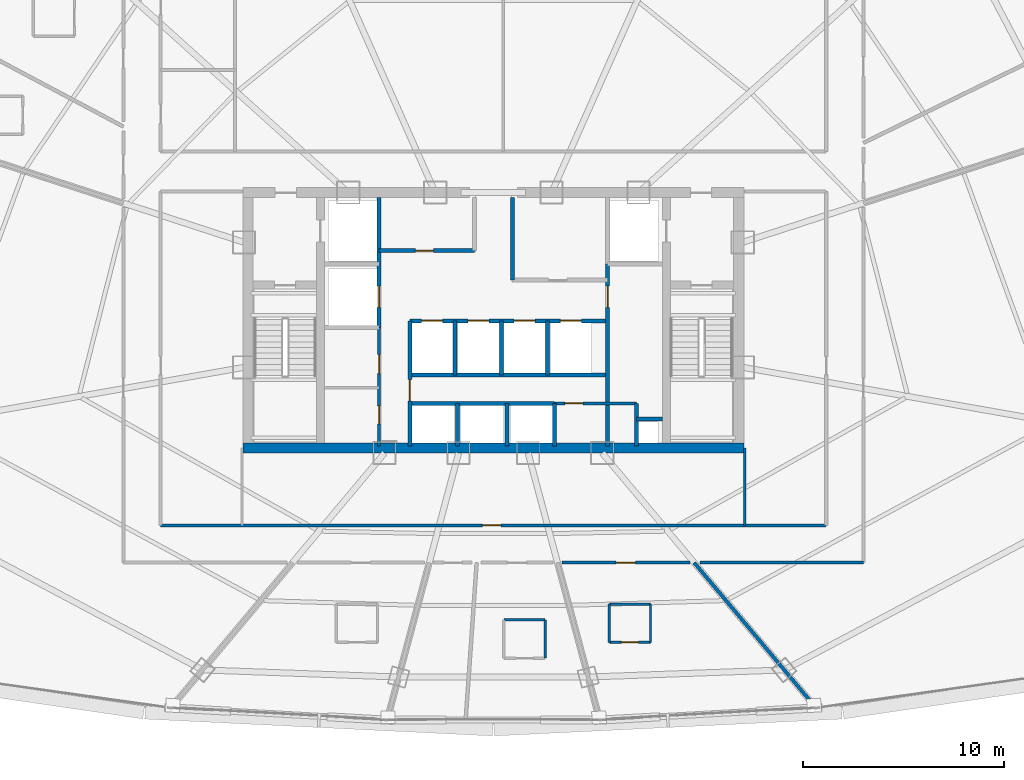
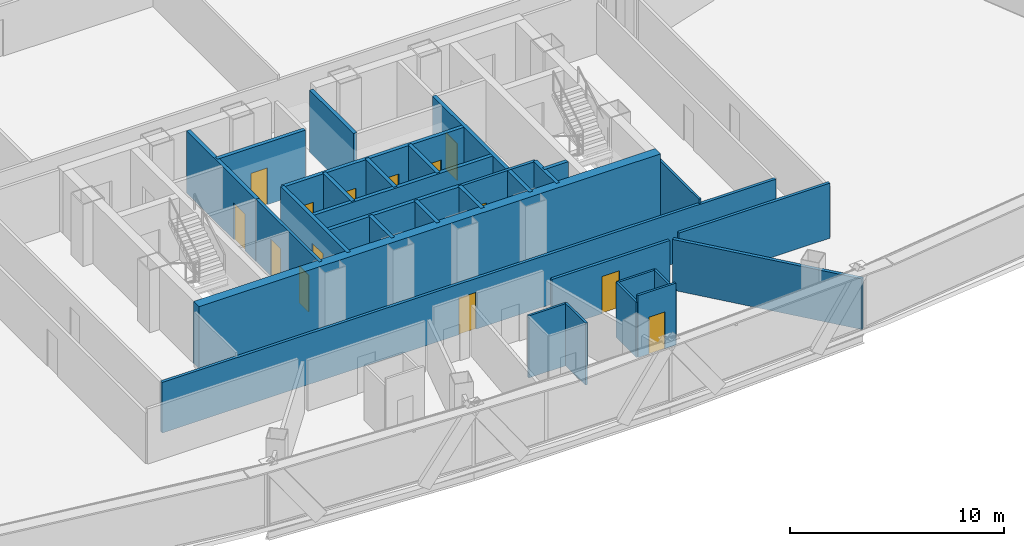
# One storey, part 33 of 40: 30 walls, 14 doors, 14 openings.
"""IFC4 building model written with IfcOpenShell, lengths in metres."""

import ifcopenshell
import ifcopenshell.guid

model = None  # the IFC model being written
_history = None  # IfcOwnerHistory: only IFC2X3 demands one
_inside = {}  # id of a spatial element -> (the spatial element, [elements in it])
_under = {}  # id of a project, library or spatial element -> (it, [spatial elements below it])
_declared = {}  # id of a project -> (the project, [libraries it declares])
_typed = {}  # id of a type object -> (the type object, [elements of that type])
_made_of = {}  # id of a material, layer set ... -> (it, [elements and type objects made of it])


def new_model(schema):
    """Start an empty IFC model of exactly this schema.

    Asked for "IFC4X3", IfcOpenShell would pick the latest addendum, in which some entities
    have other attributes; the version numbers below select the first issue.
    IFC2X3 requires an IfcOwnerHistory on every rooted entity: one is made here for all.
    """
    global model, _history
    if schema == "IFC4X3":
        model = ifcopenshell.file(schema_version=(4, 3, 0, 0))
    else:
        model = ifcopenshell.file(schema=schema)
    _inside.clear()
    _under.clear()
    _declared.clear()
    _typed.clear()
    _made_of.clear()
    _history = None
    if model.schema == "IFC2X3":
        org = make("IfcOrganization", Name="unknown")
        user = make(
            "IfcPersonAndOrganization",
            ThePerson=make("IfcPerson", FamilyName="unknown"),
            TheOrganization=org,
        )
        app = make(
            "IfcApplication",
            ApplicationDeveloper=org,
            Version="unknown",
            ApplicationFullName="unknown",
            ApplicationIdentifier="unknown",
        )
        _history = make(
            "IfcOwnerHistory",
            OwningUser=user,
            OwningApplication=app,
            ChangeAction="ADDED",
            CreationDate=0,
        )
    return model


def make(cls, **values):
    """One entity of the class cls with the attributes given. An attribute that is None is left unset."""
    return model.create_entity(
        cls, **{name: value for name, value in values.items() if value is not None}
    )


def rooted(cls, **values):
    """An entity with a GlobalId (a new one), such as an element, a storey or a relation."""
    return make(cls, GlobalId=ifcopenshell.guid.new(), OwnerHistory=_history, **values)


def si_unit(unit_type, name, prefix=None):
    """IfcSIUnit, for example si_unit("LENGTHUNIT", "METRE", prefix="MILLI")."""
    return make("IfcSIUnit", UnitType=unit_type, Prefix=prefix, Name=name)


def assignment(units):
    """IfcUnitAssignment: the units of a project."""
    return None if units is None else make("IfcUnitAssignment", Units=units)


def point(xyz):
    """IfcCartesianPoint."""
    return None if xyz is None else make("IfcCartesianPoint", Coordinates=xyz)


def direction(xyz):
    """IfcDirection."""
    return None if xyz is None else make("IfcDirection", DirectionRatios=xyz)


def frame(location, z_axis=None, x_axis=None):
    """IfcAxis2Placement3D, a coordinate frame: its origin and axes. An axis left out is left unset."""
    return make(
        "IfcAxis2Placement3D",
        Location=point(location),
        Axis=direction(z_axis),
        RefDirection=direction(x_axis),
    )


def frame_2d(location, x_axis=None):
    """IfcAxis2Placement2D, a coordinate frame in the plane: its origin and x axis."""
    return make(
        "IfcAxis2Placement2D", Location=point(location), RefDirection=direction(x_axis)
    )


def origin():
    """The frame at (0, 0, 0) with its axes left unset."""
    return frame((0.0, 0.0, 0.0))


def origin_with_axes():
    """The frame at (0, 0, 0) with the z axis (0, 0, 1) and the x axis (1, 0, 0) written out."""
    return frame((0.0, 0.0, 0.0), z_axis=(0.0, 0.0, 1.0), x_axis=(1.0, 0.0, 0.0))


def place(relative_to, where):
    """IfcLocalPlacement: puts the frame where relative to a parent placement (None: the world)."""
    return make(
        "IfcLocalPlacement", PlacementRelTo=relative_to, RelativePlacement=where
    )


def context(
    kind, dimensions, precision=None, world=None, true_north=None, identifier=None
):
    """IfcGeometricRepresentationContext, for example the 3D "Model" context."""
    return make(
        "IfcGeometricRepresentationContext",
        ContextIdentifier=identifier,
        ContextType=kind,
        CoordinateSpaceDimension=dimensions,
        Precision=precision,
        WorldCoordinateSystem=world,
        TrueNorth=true_north,
    )


def subcontext(parent, identifier, kind, view, scale=None):
    """IfcGeometricRepresentationSubContext, for example "Body" below "Model"."""
    return make(
        "IfcGeometricRepresentationSubContext",
        ContextIdentifier=identifier,
        ContextType=kind,
        ParentContext=parent,
        TargetScale=scale,
        TargetView=view,
    )


def project(units=None, contexts=None):
    """IfcProject with its units and contexts."""
    return rooted(
        "IfcProject",
        Name="project",
        RepresentationContexts=contexts,
        UnitsInContext=assignment(units),
    )


def spatial(cls, under=None, at=None, **own):
    """A site, building, storey or space (cls), placed at a placement, below another one or the project."""
    s = rooted(cls, ObjectPlacement=at, **own)
    if under is not None:
        _under.setdefault(under.id(), (under, []))[1].append(s)
    return s


def profile(cls, at=None, kind="AREA", **sizes):
    """A parametric profile (cls). Its sizes go by their IFC names, for example OverallWidth=200.0."""
    return make(cls, ProfileType=kind, Position=at, **sizes)


def rectangle(**sizes):
    """IfcRectangleProfileDef."""
    return profile("IfcRectangleProfileDef", **sizes)


def extrude(swept, where, along, depth):
    """IfcExtrudedAreaSolid: the profile swept, set in the frame where, extruded along a direction by depth."""
    return make(
        "IfcExtrudedAreaSolid",
        SweptArea=swept,
        Position=where,
        ExtrudedDirection=direction(along),
        Depth=depth,
    )


def shape(context_of_items, identifier, shape_type, items):
    """IfcShapeRepresentation: the items that make up one representation, for example the "Body"."""
    return make(
        "IfcShapeRepresentation",
        ContextOfItems=context_of_items,
        RepresentationIdentifier=identifier,
        RepresentationType=shape_type,
        Items=items,
    )


def source(mapping_origin, context_of_items, identifier, shape_type, items):
    """IfcRepresentationMap: a shape defined once, which mapped items show again and again."""
    return make(
        "IfcRepresentationMap",
        MappingOrigin=mapping_origin,
        MappedRepresentation=shape(context_of_items, identifier, shape_type, items),
    )


def transform(
    local_origin,
    x_axis=None,
    y_axis=None,
    z_axis=None,
    scale=None,
    scale2=None,
    scale3=None,
    uniform=True,
):
    """IfcCartesianTransformationOperator3D, or its non-uniform kind. x_axis, y_axis, z_axis: its Axis1, 2, 3."""
    if uniform:
        return make(
            "IfcCartesianTransformationOperator3D",
            Axis1=direction(x_axis),
            Axis2=direction(y_axis),
            LocalOrigin=point(local_origin),
            Scale=scale,
            Axis3=direction(z_axis),
        )
    return make(
        "IfcCartesianTransformationOperator3DnonUniform",
        Axis1=direction(x_axis),
        Axis2=direction(y_axis),
        LocalOrigin=point(local_origin),
        Scale=scale,
        Axis3=direction(z_axis),
        Scale2=scale2,
        Scale3=scale3,
    )


def mapped(mapping_source, mapping_target):
    """IfcMappedItem: shows the shape of a source again, moved by a transform."""
    return make(
        "IfcMappedItem", MappingSource=mapping_source, MappingTarget=mapping_target
    )


def material(Name=None, Category=None):
    """IfcMaterial."""
    return make("IfcMaterial", Name=Name, Category=Category)


def layer(
    of_material, thickness, ventilated=None, Name=None, Category=None, Priority=None
):
    """IfcMaterialLayer: one layer of a wall or slab, of a material (None: an air gap)."""
    return make(
        "IfcMaterialLayer",
        Material=of_material,
        LayerThickness=thickness,
        IsVentilated=ventilated,
        Name=Name,
        Category=Category,
        Priority=Priority,
    )


def layer_set(layers, Name=None):
    """IfcMaterialLayerSet."""
    return make("IfcMaterialLayerSet", MaterialLayers=layers, LayerSetName=Name)


def made_of(thing, what):
    """Note that an element or type object is made of a material, layer set ...; save() writes the relation."""
    if what is not None:
        _made_of.setdefault(what.id(), (what, []))[1].append(thing)
    return thing


def type_object(cls, material=None, **own):
    """A type object (cls), such as IfcWallType, which elements share."""
    return made_of(rooted(cls, **own), material)


def element(
    cls,
    number,
    at=None,
    inside=None,
    cuts=None,
    type_object=None,
    material=None,
    context=None,
    identifier="Body",
    shape_type=None,
    held_by="IfcProductDefinitionShape",
    body=None,
    shapes=None,
    **own,
):
    """One element of the class cls, such as IfcWall. Its Tag is "e" and its number.

    at: its placement. inside: the storey or other place that contains it. cuts: it is an
    opening in that element (IfcRelVoidsElement). A single representation is given by context,
    identifier, shape_type and body (its items); several are given by shapes. held_by: the class
    of the entity that holds the representations. save() writes the other relations.
    """
    e = rooted(cls, Tag="e%d" % number, ObjectPlacement=at, **own)
    if body is not None:
        shapes = [shape(context, identifier, shape_type, body)]
    if shapes is not None:
        e.Representation = make(held_by, Representations=shapes)
    if inside is not None:
        _inside.setdefault(inside.id(), (inside, []))[1].append(e)
    if cuts is not None:
        rooted(
            "IfcRelVoidsElement", RelatingBuildingElement=cuts, RelatedOpeningElement=e
        )
    if type_object is not None:
        _typed.setdefault(type_object.id(), (type_object, []))[1].append(e)
    return made_of(e, material)


def fill(opening, filler):
    """IfcRelFillsElement: the door or window that sits in an opening."""
    return rooted(
        "IfcRelFillsElement",
        RelatingOpeningElement=opening,
        RelatedBuildingElement=filler,
    )


def aggregate(whole, parts):
    """IfcRelAggregates: a whole, such as a stair, and the parts it consists of."""
    return rooted("IfcRelAggregates", RelatingObject=whole, RelatedObjects=parts)


def save(model, path):
    """Write the relations noted so far, then the file.

    IfcRelAggregates (storeys below a building ...), IfcRelContainedInSpatialStructure (elements
    in a storey), IfcRelDefinesByType, IfcRelAssociatesMaterial and IfcRelDeclares: one each for
    every whole, place, type object, material and project.
    """
    for whole, parts in _under.values():
        aggregate(whole, parts)
    for where, things in _inside.values():
        rooted(
            "IfcRelContainedInSpatialStructure",
            RelatedElements=things,
            RelatingStructure=where,
        )
    for kind, things in _typed.values():
        rooted("IfcRelDefinesByType", RelatedObjects=things, RelatingType=kind)
    for what, things in _made_of.values():
        rooted("IfcRelAssociatesMaterial", RelatedObjects=things, RelatingMaterial=what)
    for by, libraries in _declared.values():
        rooted("IfcRelDeclares", RelatingContext=by, RelatedDefinitions=libraries)
    model.write(path)


model = new_model("IFC4")

# Units and contexts
model_context = context("Model", 3, precision=1e-05, world=origin(), true_north=direction((0.0, 1.0)))
body_context = subcontext(model_context, "Body", "Model", "MODEL_VIEW")
ifc_project = project(units=[si_unit("LENGTHUNIT", "METRE"), si_unit("AREAUNIT", "SQUARE_METRE"), si_unit("VOLUMEUNIT", "CUBIC_METRE"), si_unit("PLANEANGLEUNIT", "RADIAN"), si_unit("MASSUNIT", "GRAM", prefix="KILO"), si_unit("THERMODYNAMICTEMPERATUREUNIT", "KELVIN"), si_unit("POWERUNIT", "WATT")], contexts=[model_context])

# Site, building, storey
site_placement = place(None, origin())
site = spatial("IfcSite", under=ifc_project, at=site_placement, CompositionType="ELEMENT")
building_placement = place(site_placement, origin())
building = spatial("IfcBuilding", under=site, at=building_placement, Name="Yunzhuo Pagoda Commons", CompositionType="ELEMENT")
storey_placement = place(building_placement, frame((0.0, 0.0, 188.56005859375)))
storey = spatial("IfcBuildingStorey", under=building, at=storey_placement, Name="L47", CompositionType="ELEMENT", Elevation=188.56005859375)

# Wall
ifc_material_1 = material(Name="Concrete C50", Category="concrete")
ifc_layer_1 = layer(ifc_material_1, 0.5)
ifc_layer_set_1 = layer_set([ifc_layer_1], Name="Concrete C50")
wall_type_1 = type_object("IfcWallType", Name="W-C03 Upper Core Shear Wall 500", PredefinedType="SHEAR", material=ifc_layer_set_1)
wall_1_placement = place(storey_placement, frame((35.550048828125, 27.5, 0.0), z_axis=(0.0, 0.0, 1.0), x_axis=(1.0, 0.0, 0.0)))
element("IfcWall", 1, at=wall_1_placement, inside=storey, type_object=wall_type_1, Name="L47 core shear wall S", PredefinedType="SHEAR", context=body_context, shape_type="SweptSolid", body=[
    extrude(rectangle(XDim=24.89990234375, YDim=0.5, at=frame_2d((12.449951171875, 0.0))), origin(), (0.0, 0.0, 1.0), 3.5400390625),
])

# Wall, openings, doors
ifc_material_2 = material(Name="Gypsum plasterboard on acoustic stud")
ifc_layer_2 = layer(ifc_material_2, 0.155029296875)
ifc_layer_set_2 = layer_set([ifc_layer_2], Name="Gypsum plasterboard on acoustic stud")
wall_type_2 = type_object("IfcWallType", Name="W-COR2 Mid-Zone Rated Corridor Wall 155", PredefinedType="PARTITIONING", material=ifc_layer_set_2)
wall_2_placement = place(storey_placement, frame((42.320068359375, 27.60009765625, 0.0), z_axis=(0.0, 0.0, 1.0), x_axis=(0.0, 1.0, 0.0)))
wall_2 = element("IfcWall", 2, at=wall_2_placement, inside=storey, type_object=wall_type_2, Name="L47 interior wall IW-L47-CSWE", PredefinedType="PARTITIONING", context=body_context, shape_type="SweptSolid", body=[
    extrude(rectangle(XDim=5.89990234375, YDim=0.155029296875, at=frame_2d((2.949951171875, 0.0))), origin(), (0.0, 0.0, 1.0), 3.5400390625),
])
opening_1_placement = place(wall_2_placement, frame((1.10009765625, 0.0, 0.0)))
opening_1 = element("IfcOpeningElement", 3, at=opening_1_placement, cuts=wall_2, Name="Opening D-03", PredefinedType="OPENING", context=body_context, shape_type="SweptSolid", body=[
    extrude(rectangle(XDim=0.89990234375, YDim=2.10009765625, at=frame_2d((0.449951171875, 1.050048828125))), frame((0.0, 0.08740234375, 0.0), z_axis=(0.0, -1.0, 0.0), x_axis=(1.0, 0.0, 0.0)), (0.0, 0.0, 1.0), 0.175048828125),
])
opening_2_placement = place(wall_2_placement, frame((3.60009765625, 0.0, 0.0)))
opening_2 = element("IfcOpeningElement", 4, at=opening_2_placement, cuts=wall_2, Name="Opening D-11", PredefinedType="OPENING", context=body_context, shape_type="SweptSolid", body=[
    extrude(rectangle(XDim=0.93994140625, YDim=2.10009765625, at=frame_2d((0.469970703125, 1.050048828125))), frame((0.0, 0.08740234375, 0.0), z_axis=(0.0, -1.0, 0.0), x_axis=(1.0, 0.0, 0.0)), (0.0, 0.0, 1.0), 0.175048828125),
])
ifc_material_3 = material(Name="Galvanized fire-resisting metal leaf")
door_type_1 = type_object("IfcDoorType", Name="D-03 Core Service Fire Door 900x2100", OperationType="NOTDEFINED", PredefinedType="DOOR", material=ifc_material_3)
shared_shape_1 = source(origin(), body_context, "Body", "SweptSolid", [
    extrude(rectangle(XDim=0.89990234375, YDim=2.10009765625, at=frame_2d((0.449951171875, 1.050048828125))), frame((0.0, 0.02490234375, 0.0), z_axis=(0.0, -1.0, 0.0), x_axis=(1.0, 0.0, 0.0)), (0.0, 0.0, 1.0), 0.050048828125),
])
door_1_placement = place(opening_1_placement, origin_with_axes())
door_1 = element("IfcDoor", 5, at=door_1_placement, inside=storey, type_object=door_type_1, Name="L47 housekeeping door", OperationType="SINGLE_SWING_RIGHT", OverallHeight=2.10009765625, OverallWidth=0.89990234375, PredefinedType="DOOR", context=body_context, shape_type="MappedRepresentation", body=[
    mapped(shared_shape_1, transform((0.0, 0.0, 0.0), scale=1.0)),
])
fill(opening_1, door_1)
door_type_2 = type_object("IfcDoorType", Name="D-11 Accessible Washroom Fire Door 940x2100", OperationType="NOTDEFINED", PredefinedType="DOOR", material=ifc_material_3)
shared_shape_2 = source(origin(), body_context, "Body", "SweptSolid", [
    extrude(rectangle(XDim=0.93994140625, YDim=2.10009765625, at=frame_2d((0.469970703125, 1.050048828125))), frame((0.0, 0.02490234375, 0.0), z_axis=(0.0, -1.0, 0.0), x_axis=(1.0, 0.0, 0.0)), (0.0, 0.0, 1.0), 0.050048828125),
])
door_2_placement = place(opening_2_placement, origin_with_axes())
door_2 = element("IfcDoor", 6, at=door_2_placement, inside=storey, type_object=door_type_2, Name="L47 core WC door", OperationType="SINGLE_SWING_RIGHT", OverallHeight=2.10009765625, OverallWidth=0.93994140625, PredefinedType="DOOR", context=body_context, shape_type="MappedRepresentation", body=[
    mapped(shared_shape_2, transform((0.0, 0.0, 0.0), scale=1.0)),
])
fill(opening_2, door_2)

# Wall, opening, door
wall_3_placement = place(storey_placement, frame((51.050048828125, 29.719970703125, 0.0), z_axis=(0.0, 0.0, 1.0), x_axis=(1.0, 0.0, 0.0)))
wall_3 = element("IfcWall", 7, at=wall_3_placement, inside=storey, type_object=wall_type_2, Name="L47 interior wall IW-L47-CSES", PredefinedType="PARTITIONING", context=body_context, shape_type="SweptSolid", body=[
    extrude(rectangle(XDim=4.070068359375, YDim=0.155029296875, at=frame_2d((2.03515625, 0.0))), origin(), (0.0, 0.0, 1.0), 3.5400390625),
])
opening_3_placement = place(wall_3_placement, frame((0.5, 0.0, 0.0)))
opening_3 = element("IfcOpeningElement", 8, at=opening_3_placement, cuts=wall_3, Name="Opening D-03", PredefinedType="OPENING", context=body_context, shape_type="SweptSolid", body=[
    extrude(rectangle(XDim=0.89990234375, YDim=2.10009765625, at=frame_2d((0.449951171875, 1.050048828125))), frame((0.0, 0.08740234375, 0.0), z_axis=(0.0, -1.0, 0.0), x_axis=(1.0, 0.0, 0.0)), (0.0, 0.0, 1.0), 0.175048828125),
])
door_3_placement = place(opening_3_placement, origin_with_axes())
door_3 = element("IfcDoor", 9, at=door_3_placement, inside=storey, type_object=door_type_1, Name="L47 IT closet door", OperationType="SINGLE_SWING_LEFT", OverallHeight=2.10009765625, OverallWidth=0.89990234375, PredefinedType="DOOR", context=body_context, shape_type="MappedRepresentation", body=[
    mapped(shared_shape_1, transform((0.0, 0.0, 0.0), scale=1.0)),
])
fill(opening_3, door_3)

wall_4_placement = place(storey_placement, frame((31.449951171875, 23.64990234375, 0.0), z_axis=(0.0, 0.0, 1.0), x_axis=(1.0, 0.0, 0.0)))
wall_4 = element("IfcWall", 10, at=wall_4_placement, inside=storey, type_object=wall_type_2, Name="L47 interior wall IW-L47-SFLS", PredefinedType="PARTITIONING", context=body_context, shape_type="SweptSolid", body=[
    extrude(rectangle(XDim=33.10009765625, YDim=0.155029296875, at=frame_2d((16.550048828125, 0.0))), origin(), (0.0, 0.0, 1.0), 2.889892578125),
])
opening_4_placement = place(wall_4_placement, frame((16.0, 0.0, 0.0)))
opening_4 = element("IfcOpeningElement", 11, at=opening_4_placement, cuts=wall_4, Name="Opening D-04", PredefinedType="OPENING", context=body_context, shape_type="SweptSolid", body=[
    extrude(rectangle(XDim=0.919921875, YDim=2.10009765625, at=frame_2d((0.4599609375, 1.050048828125))), frame((0.0, 0.08740234375, 0.0), z_axis=(0.0, -1.0, 0.0), x_axis=(1.0, 0.0, 0.0)), (0.0, 0.0, 1.0), 0.175048828125),
])
ifc_material_4 = material(Name="Powder-coated aluminium and timber acoustic leaf", Category="wood")
door_type_3 = type_object("IfcDoorType", Name="D-04 Bedroom & Study Interior Door 920x2100", OperationType="NOTDEFINED", PredefinedType="DOOR", material=ifc_material_4)
shared_shape_3 = source(origin(), body_context, "Body", "SweptSolid", [
    extrude(rectangle(XDim=0.919921875, YDim=2.10009765625, at=frame_2d((0.4599609375, 1.050048828125))), frame((0.0, 0.02490234375, 0.0), z_axis=(0.0, -1.0, 0.0), x_axis=(1.0, 0.0, 0.0)), (0.0, 0.0, 1.0), 0.050048828125),
])
door_4_placement = place(opening_4_placement, frame((0.919921875, 0.0, 0.0), z_axis=(0.0, 0.0, 1.0), x_axis=(-1.0, 0.0, 0.0)))
door_4 = element("IfcDoor", 12, at=door_4_placement, inside=storey, type_object=door_type_3, Name="L47 south seminar room door", OperationType="SINGLE_SWING_RIGHT", OverallHeight=2.10009765625, OverallWidth=0.919921875, PredefinedType="DOOR", context=body_context, shape_type="MappedRepresentation", body=[
    mapped(shared_shape_3, transform((0.0, 0.0, 0.0), scale=1.0)),
])
fill(opening_4, door_4)

# Wall
wall_5_placement = place(storey_placement, frame((66.39990234375, 21.800048828125, 0.0), z_axis=(0.0, 0.0, 1.0), x_axis=(-1.0, 0.0, 0.0)))
element("IfcWall", 13, at=wall_5_placement, inside=storey, type_object=wall_type_2, Name="L47 interior wall IW-L47-CWL13", PredefinedType="PARTITIONING", context=body_context, shape_type="SweptSolid", body=[
    extrude(rectangle(XDim=8.12744140625, YDim=0.155029296875, at=frame_2d((4.063720703125, 0.0))), origin(), (0.0, 0.0, 1.0), 3.139892578125),
])

# Wall, opening, door
wall_6_placement = place(storey_placement, frame((57.765380859375, 21.800048828125, 0.0), z_axis=(0.0, 0.0, 1.0), x_axis=(-1.0, 0.0, 0.0)))
wall_6 = element("IfcWall", 14, at=wall_6_placement, inside=storey, type_object=wall_type_2, Name="L47 interior wall IW-L47-CWL14", PredefinedType="PARTITIONING", context=body_context, shape_type="SweptSolid", body=[
    extrude(rectangle(XDim=6.348876953125, YDim=0.155029296875, at=frame_2d((3.17431640625, 0.0))), origin(), (0.0, 0.0, 1.0), 2.889892578125),
])
opening_5_placement = place(wall_6_placement, frame((2.703369140625, 0.0, 0.0)))
opening_5 = element("IfcOpeningElement", 15, at=opening_5_placement, cuts=wall_6, Name="Opening D-07", PredefinedType="OPENING", context=body_context, shape_type="SweptSolid", body=[
    extrude(rectangle(XDim=0.9599609375, YDim=2.1201171875, at=frame_2d((0.47998046875, 1.06005859375))), frame((0.0, 0.08740234375, 0.0), z_axis=(0.0, -1.0, 0.0), x_axis=(1.0, 0.0, 0.0)), (0.0, 0.0, 1.0), 0.175048828125),
])
door_type_4 = type_object("IfcDoorType", Name="D-07 Mid-Zone Suite Entrance Fire Door 960x2120", OperationType="NOTDEFINED", PredefinedType="DOOR", material=ifc_material_3)
shared_shape_4 = source(origin(), body_context, "Body", "SweptSolid", [
    extrude(rectangle(XDim=0.9599609375, YDim=2.1201171875, at=frame_2d((0.47998046875, 1.06005859375))), frame((0.0, 0.02490234375, 0.0), z_axis=(0.0, -1.0, 0.0), x_axis=(1.0, 0.0, 0.0)), (0.0, 0.0, 1.0), 0.050048828125),
])
door_5_placement = place(opening_5_placement, origin_with_axes())
door_5 = element("IfcDoor", 16, at=door_5_placement, inside=storey, type_object=door_type_4, Name="L47 unit 12 entrance door", OperationType="SINGLE_SWING_RIGHT", OverallHeight=2.1201171875, OverallWidth=0.9599609375, PredefinedType="DOOR", context=body_context, shape_type="MappedRepresentation", body=[
    mapped(shared_shape_4, transform((0.0, 0.0, 0.0), scale=1.0)),
])
fill(opening_5, door_5)

# Walls
ifc_layer_3 = layer(ifc_material_2, 0.1201171875)
ifc_layer_set_3 = layer_set([ifc_layer_3], Name="Gypsum plasterboard on acoustic stud")
wall_type_3 = type_object("IfcWallType", Name="W-PRT1 Suite & Bathroom Partition 120", PredefinedType="PARTITIONING", material=ifc_layer_set_3)
wall_7_placement = place(storey_placement, frame((60.5, 23.64990234375, 0.0), z_axis=(0.0, 0.0, 1.0), x_axis=(0.0, 1.0, 0.0)))
element("IfcWall", 17, at=wall_7_placement, inside=storey, type_object=wall_type_3, Name="L47 interior wall IW-L47-SFLD2", PredefinedType="PARTITIONING", context=body_context, shape_type="SweptSolid", body=[
    extrude(rectangle(XDim=3.85009765625, YDim=0.1201171875, at=frame_2d((1.925048828125, 0.0))), origin(), (0.0, 0.0, 1.0), 3.139892578125),
])
wall_8_placement = place(storey_placement, frame((50.574951171875, 17.054931640625, 0.0), z_axis=(0.0, 0.0, 1.0), x_axis=(0.0, 1.0, 0.0)))
element("IfcWall", 18, at=wall_8_placement, inside=storey, type_object=wall_type_3, Name="L47 interior wall IW-L47-B11E", PredefinedType="PARTITIONING", context=body_context, shape_type="SweptSolid", body=[
    extrude(rectangle(XDim=1.900146484375, YDim=0.1201171875, at=frame_2d((0.9501953125, 0.0))), origin(), (0.0, 0.0, 1.0), 3.5400390625),
])
wall_9_placement = place(storey_placement, frame((50.574951171875, 18.955078125, 0.0), z_axis=(0.0, 0.0, 1.0), x_axis=(-1.0, 0.0, 0.0)))
element("IfcWall", 19, at=wall_9_placement, inside=storey, type_object=wall_type_3, Name="L47 interior wall IW-L47-B11N", PredefinedType="PARTITIONING", context=body_context, shape_type="SweptSolid", body=[
    extrude(rectangle(XDim=2.050048828125, YDim=0.1201171875, at=frame_2d((1.02490234375, 0.0))), origin(), (0.0, 0.0, 1.0), 3.5400390625),
])

# Wall, opening, door
wall_10_placement = place(storey_placement, frame((53.762939453125, 17.833984375, 0.0), z_axis=(0.0, 0.0, 1.0), x_axis=(1.0, 0.0, 0.0)))
wall_10 = element("IfcWall", 20, at=wall_10_placement, inside=storey, type_object=wall_type_3, Name="L47 interior wall IW-L47-B12S", PredefinedType="PARTITIONING", context=body_context, shape_type="SweptSolid", body=[
    extrude(rectangle(XDim=2.050048828125, YDim=0.1201171875, at=frame_2d((1.02490234375, 0.0))), origin(), (0.0, 0.0, 1.0), 3.5400390625),
])
opening_6_placement = place(wall_10_placement, frame((0.60009765625, 0.0, 0.0)))
opening_6 = element("IfcOpeningElement", 21, at=opening_6_placement, cuts=wall_10, Name="Opening D-05", PredefinedType="OPENING", context=body_context, shape_type="SweptSolid", body=[
    extrude(rectangle(XDim=0.85009765625, YDim=2.10009765625, at=frame_2d((0.425048828125, 1.050048828125))), frame((0.0, 0.070068359375, 0.0), z_axis=(0.0, -1.0, 0.0), x_axis=(1.0, 0.0, 0.0)), (0.0, 0.0, 1.0), 0.14013671875),
])
door_type_5 = type_object("IfcDoorType", Name="D-05 En-Suite Bathroom Door 850x2100", OperationType="NOTDEFINED", PredefinedType="DOOR", material=ifc_material_4)
shared_shape_5 = source(origin(), body_context, "Body", "SweptSolid", [
    extrude(rectangle(XDim=0.85009765625, YDim=2.10009765625, at=frame_2d((0.425048828125, 1.050048828125))), frame((0.0, 0.02490234375, 0.0), z_axis=(0.0, -1.0, 0.0), x_axis=(1.0, 0.0, 0.0)), (0.0, 0.0, 1.0), 0.050048828125),
])
door_6_placement = place(opening_6_placement, frame((0.85009765625, 0.0, 0.0), z_axis=(0.0, 0.0, 1.0), x_axis=(-1.0, 0.0, 0.0)))
door_6 = element("IfcDoor", 22, at=door_6_placement, inside=storey, type_object=door_type_5, Name="L47 unit 12 bathroom door", OperationType="SINGLE_SWING_RIGHT", OverallHeight=2.10009765625, OverallWidth=0.85009765625, PredefinedType="DOOR", context=body_context, shape_type="MappedRepresentation", body=[
    mapped(shared_shape_5, transform((0.0, 0.0, 0.0), scale=1.0)),
])
fill(opening_6, door_6)

# Walls
wall_11_placement = place(storey_placement, frame((55.81298828125, 17.833984375, 0.0), z_axis=(0.0, 0.0, 1.0), x_axis=(0.0, 1.0, 0.0)))
element("IfcWall", 23, at=wall_11_placement, inside=storey, type_object=wall_type_3, Name="L47 interior wall IW-L47-B12E", PredefinedType="PARTITIONING", context=body_context, shape_type="SweptSolid", body=[
    extrude(rectangle(XDim=1.89990234375, YDim=0.1201171875, at=frame_2d((0.949951171875, 0.0))), origin(), (0.0, 0.0, 1.0), 3.139892578125),
])
wall_12_placement = place(storey_placement, frame((55.81298828125, 19.73388671875, 0.0), z_axis=(0.0, 0.0, 1.0), x_axis=(-1.0, 0.0, 0.0)))
element("IfcWall", 24, at=wall_12_placement, inside=storey, type_object=wall_type_3, Name="L47 interior wall IW-L47-B12N", PredefinedType="PARTITIONING", context=body_context, shape_type="SweptSolid", body=[
    extrude(rectangle(XDim=2.050048828125, YDim=0.1201171875, at=frame_2d((1.02490234375, 0.0))), origin(), (0.0, 0.0, 1.0), 3.139892578125),
])
wall_13_placement = place(storey_placement, frame((53.762939453125, 19.73388671875, 0.0), z_axis=(0.0, 0.0, 1.0), x_axis=(0.0, -1.0, 0.0)))
element("IfcWall", 25, at=wall_13_placement, inside=storey, type_object=wall_type_3, Name="L47 interior wall IW-L47-B12W", PredefinedType="PARTITIONING", context=body_context, shape_type="SweptSolid", body=[
    extrude(rectangle(XDim=1.89990234375, YDim=0.1201171875, at=frame_2d((0.949951171875, 0.0))), origin(), (0.0, 0.0, 1.0), 3.139892578125),
])
ifc_layer_4 = layer(ifc_material_2, 0.175048828125)
ifc_layer_set_4 = layer_set([ifc_layer_4], Name="Gypsum plasterboard on acoustic stud")
wall_type_4 = type_object("IfcWallType", Name="W-PRT3 Mid-Zone Demising Wall 175", PredefinedType="PARTITIONING", material=ifc_layer_set_4)
wall_14_placement = place(storey_placement, frame((57.9853515625, 21.800048828125, 0.0), z_axis=(0.0, 0.0, 1.0), x_axis=(0.642777943688, -0.766052553751, 0.0)))
element("IfcWall", 26, at=wall_14_placement, inside=storey, type_object=wall_type_4, Name="L47 interior wall IW-L47-RAD13", PredefinedType="PARTITIONING", context=body_context, shape_type="SweptSolid", body=[
    extrude(rectangle(XDim=9.430908203125, YDim=0.175048828125, at=frame_2d((4.71533203125, 0.0))), origin(), (0.0, 0.0, 1.0), 2.889892578125),
])

# Wall, opening, door
ifc_material_5 = material(Name="Concrete C40", Category="concrete")
ifc_layer_5 = layer(ifc_material_5, 0.199951171875)
ifc_layer_set_5 = layer_set([ifc_layer_5], Name="Concrete C40")
wall_type_5 = type_object("IfcWallType", Name="W-SHF Shaft & Stair Enclosure Wall 200", PredefinedType="SOLIDWALL", material=ifc_layer_set_5)
wall_15_placement = place(storey_placement, frame((42.320068359375, 33.5, 0.0), z_axis=(0.0, 0.0, 1.0), x_axis=(0.0, 1.0, 0.0)))
wall_15 = element("IfcWall", 27, at=wall_15_placement, inside=storey, type_object=wall_type_5, Name="L47 interior wall IW-L47-FL1E", PredefinedType="SOLIDWALL", context=body_context, shape_type="SweptSolid", body=[
    extrude(rectangle(XDim=6.449951171875, YDim=0.199951171875, at=frame_2d((3.22509765625, 0.0))), origin(), (0.0, 0.0, 1.0), 3.5400390625),
])
opening_7_placement = place(wall_15_placement, frame((1.0, 0.0, 0.0)))
opening_7 = element("IfcOpeningElement", 28, at=opening_7_placement, cuts=wall_15, Name="Opening LD-02", PredefinedType="OPENING", context=body_context, shape_type="SweptSolid", body=[
    extrude(rectangle(XDim=1.050048828125, YDim=2.10009765625, at=frame_2d((0.52490234375, 1.050048828125))), frame((0.0, 0.10986328125, 0.0), z_axis=(0.0, -1.0, 0.0), x_axis=(1.0, 0.0, 0.0)), (0.0, 0.0, 1.0), 0.219970703125),
])
door_type_6 = type_object("IfcDoorType", Name="LD-02 Passenger Lift Landing Door 1050x2100", OperationType="DOUBLE_DOOR_SLIDING", PredefinedType="DOOR", material=ifc_material_3)
shared_shape_6 = source(origin(), body_context, "Body", "SweptSolid", [
    extrude(rectangle(XDim=1.050048828125, YDim=2.10009765625, at=frame_2d((0.52490234375, 1.050048828125))), frame((0.0, 0.02490234375, 0.0), z_axis=(0.0, -1.0, 0.0), x_axis=(1.0, 0.0, 0.0)), (0.0, 0.0, 1.0), 0.050048828125),
])
door_7_placement = place(opening_7_placement, origin_with_axes())
door_7 = element("IfcDoor", 29, at=door_7_placement, inside=storey, type_object=door_type_6, Name="L47 Service lift SL-1 landing door", OperationType="DOUBLE_DOOR_SLIDING", OverallHeight=2.10009765625, OverallWidth=1.050048828125, PredefinedType="DOOR", context=body_context, shape_type="MappedRepresentation", body=[
    mapped(shared_shape_6, transform((0.0, 0.0, 0.0), scale=1.0)),
])
fill(opening_7, door_7)

wall_16_placement = place(storey_placement, frame((42.320068359375, 37.320068359375, 0.0), z_axis=(0.0, 0.0, 1.0), x_axis=(1.0, 0.0, 0.0)))
wall_16 = element("IfcWall", 30, at=wall_16_placement, inside=storey, type_object=wall_type_5, Name="L47 interior wall IW-L47-LBNW", PredefinedType="SOLIDWALL", context=body_context, shape_type="SweptSolid", body=[
    extrude(rectangle(XDim=4.72998046875, YDim=0.199951171875, at=frame_2d((2.364990234375, 0.0))), origin(), (0.0, 0.0, 1.0), 3.5400390625),
])
opening_8_placement = place(wall_16_placement, frame((1.800048828125, 0.0, 0.0)))
opening_8 = element("IfcOpeningElement", 31, at=opening_8_placement, cuts=wall_16, Name="Opening D-03", PredefinedType="OPENING", context=body_context, shape_type="SweptSolid", body=[
    extrude(rectangle(XDim=0.89990234375, YDim=2.10009765625, at=frame_2d((0.449951171875, 1.050048828125))), frame((0.0, 0.10986328125, 0.0), z_axis=(0.0, -1.0, 0.0), x_axis=(1.0, 0.0, 0.0)), (0.0, 0.0, 1.0), 0.219970703125),
])
door_8_placement = place(opening_8_placement, frame((0.89990234375, 0.0, 0.0), z_axis=(0.0, 0.0, 1.0), x_axis=(-1.0, 0.0, 0.0)))
door_8 = element("IfcDoor", 32, at=door_8_placement, inside=storey, type_object=door_type_1, Name="L47 core west store door", OperationType="SINGLE_SWING_LEFT", OverallHeight=2.10009765625, OverallWidth=0.89990234375, PredefinedType="DOOR", context=body_context, shape_type="MappedRepresentation", body=[
    mapped(shared_shape_1, transform((0.0, 0.0, 0.0), scale=1.0)),
])
fill(opening_8, door_8)

# Wall
wall_17_placement = place(storey_placement, frame((48.949951171875, 35.85009765625, 0.0), z_axis=(0.0, 0.0, 1.0), x_axis=(0.0, 1.0, 0.0)))
element("IfcWall", 33, at=wall_17_placement, inside=storey, type_object=wall_type_5, Name="L47 interior wall IW-L47-THRE", PredefinedType="SOLIDWALL", context=body_context, shape_type="SweptSolid", body=[
    extrude(rectangle(XDim=4.099853515625, YDim=0.199951171875, at=frame_2d((2.0498046875, 0.0))), origin(), (0.0, 0.0, 1.0), 3.5400390625),
])

# Wall, openings, doors
wall_18_placement = place(storey_placement, frame((43.85009765625, 33.820068359375, 0.0), z_axis=(0.0, 0.0, 1.0), x_axis=(1.0, 0.0, 0.0)))
wall_18 = element("IfcWall", 34, at=wall_18_placement, inside=storey, type_object=wall_type_5, Name="L47 interior wall IW-L47-MLBS", PredefinedType="SOLIDWALL", context=body_context, shape_type="SweptSolid", body=[
    extrude(rectangle(XDim=9.829833984375, YDim=0.199951171875, at=frame_2d((4.9150390625, 0.0))), origin(), (0.0, 0.0, 1.0), 3.5400390625),
])
opening_9_placement = place(wall_18_placement, frame((0.574951171875, 0.0, 0.0)))
opening_9 = element("IfcOpeningElement", 35, at=opening_9_placement, cuts=wall_18, Name="Opening LD-02", PredefinedType="OPENING", context=body_context, shape_type="SweptSolid", body=[
    extrude(rectangle(XDim=1.050048828125, YDim=2.10009765625, at=frame_2d((0.52490234375, 1.050048828125))), frame((0.0, 0.10986328125, 0.0), z_axis=(0.0, -1.0, 0.0), x_axis=(1.0, 0.0, 0.0)), (0.0, 0.0, 1.0), 0.219970703125),
])
opening_10_placement = place(wall_18_placement, frame((2.875, 0.0, 0.0)))
opening_10 = element("IfcOpeningElement", 36, at=opening_10_placement, cuts=wall_18, Name="Opening LD-02", PredefinedType="OPENING", context=body_context, shape_type="SweptSolid", body=[
    extrude(rectangle(XDim=1.050048828125, YDim=2.10009765625, at=frame_2d((0.52490234375, 1.050048828125))), frame((0.0, 0.10986328125, 0.0), z_axis=(0.0, -1.0, 0.0), x_axis=(1.0, 0.0, 0.0)), (0.0, 0.0, 1.0), 0.219970703125),
])
opening_11_placement = place(wall_18_placement, frame((5.175048828125, 0.0, 0.0)))
opening_11 = element("IfcOpeningElement", 37, at=opening_11_placement, cuts=wall_18, Name="Opening LD-02", PredefinedType="OPENING", context=body_context, shape_type="SweptSolid", body=[
    extrude(rectangle(XDim=1.050048828125, YDim=2.10009765625, at=frame_2d((0.52490234375, 1.050048828125))), frame((0.0, 0.10986328125, 0.0), z_axis=(0.0, -1.0, 0.0), x_axis=(1.0, 0.0, 0.0)), (0.0, 0.0, 1.0), 0.219970703125),
])
opening_12_placement = place(wall_18_placement, frame((7.47509765625, 0.0, 0.0)))
opening_12 = element("IfcOpeningElement", 38, at=opening_12_placement, cuts=wall_18, Name="Opening LD-02", PredefinedType="OPENING", context=body_context, shape_type="SweptSolid", body=[
    extrude(rectangle(XDim=1.050048828125, YDim=2.10009765625, at=frame_2d((0.52490234375, 1.050048828125))), frame((0.0, 0.10986328125, 0.0), z_axis=(0.0, -1.0, 0.0), x_axis=(1.0, 0.0, 0.0)), (0.0, 0.0, 1.0), 0.219970703125),
])
door_9_placement = place(opening_9_placement, origin_with_axes())
door_9 = element("IfcDoor", 39, at=door_9_placement, inside=storey, type_object=door_type_6, Name="L47 Passenger lift PL-M1 landing door", OperationType="DOUBLE_DOOR_SLIDING", OverallHeight=2.10009765625, OverallWidth=1.050048828125, PredefinedType="DOOR", context=body_context, shape_type="MappedRepresentation", body=[
    mapped(shared_shape_6, transform((0.0, 0.0, 0.0), scale=1.0)),
])
fill(opening_9, door_9)
door_10_placement = place(opening_10_placement, origin_with_axes())
door_10 = element("IfcDoor", 40, at=door_10_placement, inside=storey, type_object=door_type_6, Name="L47 Passenger lift PL-M2 landing door", OperationType="DOUBLE_DOOR_SLIDING", OverallHeight=2.10009765625, OverallWidth=1.050048828125, PredefinedType="DOOR", context=body_context, shape_type="MappedRepresentation", body=[
    mapped(shared_shape_6, transform((0.0, 0.0, 0.0), scale=1.0)),
])
fill(opening_10, door_10)
door_11_placement = place(opening_11_placement, origin_with_axes())
door_11 = element("IfcDoor", 41, at=door_11_placement, inside=storey, type_object=door_type_6, Name="L47 Passenger lift PL-M3 landing door", OperationType="DOUBLE_DOOR_SLIDING", OverallHeight=2.10009765625, OverallWidth=1.050048828125, PredefinedType="DOOR", context=body_context, shape_type="MappedRepresentation", body=[
    mapped(shared_shape_6, transform((0.0, 0.0, 0.0), scale=1.0)),
])
fill(opening_11, door_11)
door_12_placement = place(opening_12_placement, origin_with_axes())
door_12 = element("IfcDoor", 42, at=door_12_placement, inside=storey, type_object=door_type_6, Name="L47 Passenger lift PL-M4 landing door", OperationType="DOUBLE_DOOR_SLIDING", OverallHeight=2.10009765625, OverallWidth=1.050048828125, PredefinedType="DOOR", context=body_context, shape_type="MappedRepresentation", body=[
    mapped(shared_shape_6, transform((0.0, 0.0, 0.0), scale=1.0)),
])
fill(opening_12, door_12)

# Wall, opening, door
wall_19_placement = place(storey_placement, frame((43.85009765625, 27.60009765625, 0.0), z_axis=(0.0, 0.0, 1.0), x_axis=(0.0, 1.0, 0.0)))
wall_19 = element("IfcWall", 43, at=wall_19_placement, inside=storey, type_object=wall_type_5, Name="L47 interior wall IW-L47-PLMW", PredefinedType="SOLIDWALL", context=body_context, shape_type="SweptSolid", body=[
    extrude(rectangle(XDim=6.219970703125, YDim=0.199951171875, at=frame_2d((3.10986328125, 0.0))), origin(), (0.0, 0.0, 1.0), 3.5400390625),
])
opening_13_placement = place(wall_19_placement, frame((2.25, 0.0, 0.0)))
opening_13 = element("IfcOpeningElement", 44, at=opening_13_placement, cuts=wall_19, Name="Opening D-02", PredefinedType="OPENING", context=body_context, shape_type="SweptSolid", body=[
    extrude(rectangle(XDim=1.050048828125, YDim=2.10009765625, at=frame_2d((0.52490234375, 1.050048828125))), frame((0.0, 0.10986328125, 0.0), z_axis=(0.0, -1.0, 0.0), x_axis=(1.0, 0.0, 0.0)), (0.0, 0.0, 1.0), 0.219970703125),
])
door_type_7 = type_object("IfcDoorType", Name="D-02 Firefighting Lobby & Refuge Fire Door 1050x2100", OperationType="NOTDEFINED", PredefinedType="DOOR", material=ifc_material_3)
door_13_placement = place(opening_13_placement, frame((1.050048828125, 0.0, 0.0), z_axis=(0.0, 0.0, 1.0), x_axis=(-1.0, 0.0, 0.0)))
door_13 = element("IfcDoor", 45, at=door_13_placement, inside=storey, type_object=door_type_7, Name="L47 High-bank hall west door", OperationType="SINGLE_SWING_LEFT", OverallHeight=2.10009765625, OverallWidth=1.050048828125, PredefinedType="DOOR", context=body_context, shape_type="MappedRepresentation", body=[
    mapped(shared_shape_6, transform((0.0, 0.0, 0.0), scale=1.0)),
])
fill(opening_13, door_13)

wall_20_placement = place(storey_placement, frame((53.679931640625, 27.60009765625, 0.0), z_axis=(0.0, 0.0, 1.0), x_axis=(0.0, 1.0, 0.0)))
wall_20 = element("IfcWall", 46, at=wall_20_placement, inside=storey, type_object=wall_type_5, Name="L47 interior wall IW-L47-PLME", PredefinedType="SOLIDWALL", context=body_context, shape_type="SweptSolid", body=[
    extrude(rectangle(XDim=9.0498046875, YDim=0.199951171875, at=frame_2d((4.52490234375, 0.0))), origin(), (0.0, 0.0, 1.0), 3.5400390625),
])
opening_14_placement = place(wall_20_placement, frame((6.89990234375, 0.0, 0.0)))
opening_14 = element("IfcOpeningElement", 47, at=opening_14_placement, cuts=wall_20, Name="Opening D-02", PredefinedType="OPENING", context=body_context, shape_type="SweptSolid", body=[
    extrude(rectangle(XDim=1.050048828125, YDim=2.10009765625, at=frame_2d((0.52490234375, 1.050048828125))), frame((0.0, 0.10986328125, 0.0), z_axis=(0.0, -1.0, 0.0), x_axis=(1.0, 0.0, 0.0)), (0.0, 0.0, 1.0), 0.219970703125),
])
door_14_placement = place(opening_14_placement, origin_with_axes())
door_14 = element("IfcDoor", 48, at=door_14_placement, inside=storey, type_object=door_type_7, Name="L47 High-bank lift hall door", OperationType="SINGLE_SWING_RIGHT", OverallHeight=2.10009765625, OverallWidth=1.050048828125, PredefinedType="DOOR", context=body_context, shape_type="MappedRepresentation", body=[
    mapped(shared_shape_6, transform((0.0, 0.0, 0.0), scale=1.0)),
])
fill(opening_14, door_14)

# Walls
for number, where, z_axis, x_axis, name in (
    (49, (46.10009765625, 31.1201171875, 0.0), (0.0, 0.0, 1.0), (0.0, 1.0, 0.0), "L47 interior wall IW-L47-PLMD1"),
    (50, (48.39990234375, 31.1201171875, 0.0), (0.0, 0.0, 1.0), (0.0, 1.0, 0.0), "L47 interior wall IW-L47-PLMD2"),
    (51, (50.699951171875, 31.1201171875, 0.0), (0.0, 0.0, 1.0), (0.0, 1.0, 0.0), "L47 interior wall IW-L47-PLMD3"),
):
    element("IfcWall", number, at=place(storey_placement, frame(where, z_axis=z_axis, x_axis=x_axis)), inside=storey, type_object=wall_type_5, Name=name, PredefinedType="SOLIDWALL", context=body_context, shape_type="SweptSolid", body=[
        extrude(rectangle(XDim=2.699951171875, YDim=0.199951171875, at=frame_2d((1.35009765625, 0.0))), origin(), (0.0, 0.0, 1.0), 3.5400390625),
    ])
wall_21_placement = place(storey_placement, frame((43.85009765625, 29.719970703125, 0.0), z_axis=(0.0, 0.0, 1.0), x_axis=(1.0, 0.0, 0.0)))
element("IfcWall", 52, at=wall_21_placement, inside=storey, type_object=wall_type_5, Name="L47 interior wall IW-L47-PLHN", PredefinedType="SOLIDWALL", context=body_context, shape_type="SweptSolid", body=[
    extrude(rectangle(XDim=7.199951171875, YDim=0.199951171875, at=frame_2d((3.60009765625, 0.0))), origin(), (0.0, 0.0, 1.0), 3.5400390625),
])
wall_22_placement = place(storey_placement, frame((51.050048828125, 27.60009765625, 0.0), z_axis=(0.0, 0.0, 1.0), x_axis=(0.0, 1.0, 0.0)))
element("IfcWall", 53, at=wall_22_placement, inside=storey, type_object=wall_type_5, Name="L47 interior wall IW-L47-PLHE", PredefinedType="SOLIDWALL", context=body_context, shape_type="SweptSolid", body=[
    extrude(rectangle(XDim=2.119873046875, YDim=0.199951171875, at=frame_2d((1.06005859375, 0.0))), origin(), (0.0, 0.0, 1.0), 3.5400390625),
])
wall_23_placement = place(storey_placement, frame((43.85009765625, 31.1201171875, 0.0), z_axis=(0.0, 0.0, 1.0), x_axis=(1.0, 0.0, 0.0)))
element("IfcWall", 54, at=wall_23_placement, inside=storey, type_object=wall_type_5, Name="L47 interior wall IW-L47-PLMS2", PredefinedType="SOLIDWALL", context=body_context, shape_type="SweptSolid", body=[
    extrude(rectangle(XDim=9.829833984375, YDim=0.199951171875, at=frame_2d((4.9150390625, 0.0))), origin(), (0.0, 0.0, 1.0), 3.5400390625),
])
for number, where, z_axis, x_axis, name in (
    (55, (46.22509765625, 27.60009765625, 0.0), (0.0, 0.0, 1.0), (0.0, 1.0, 0.0), "L47 interior wall IW-L47-PLHD1"),
    (56, (48.675048828125, 27.60009765625, 0.0), (0.0, 0.0, 1.0), (0.0, 1.0, 0.0), "L47 interior wall IW-L47-PLHD2"),
    (57, (55.1201171875, 27.60009765625, 0.0), (0.0, 0.0, 1.0), (0.0, 1.0, 0.0), "L47 interior wall IW-L47-RSHFW"),
):
    element("IfcWall", number, at=place(storey_placement, frame(where, z_axis=z_axis, x_axis=x_axis)), inside=storey, type_object=wall_type_5, Name=name, PredefinedType="SOLIDWALL", context=body_context, shape_type="SweptSolid", body=[
        extrude(rectangle(XDim=2.119873046875, YDim=0.199951171875, at=frame_2d((1.06005859375, 0.0))), origin(), (0.0, 0.0, 1.0), 3.5400390625),
    ])
wall_24_placement = place(storey_placement, frame((55.1201171875, 28.949951171875, 0.0), z_axis=(0.0, 0.0, 1.0), x_axis=(1.0, 0.0, 0.0)))
element("IfcWall", 58, at=wall_24_placement, inside=storey, type_object=wall_type_5, Name="L47 interior wall IW-L47-RSHFN", PredefinedType="SOLIDWALL", context=body_context, shape_type="SweptSolid", body=[
    extrude(rectangle(XDim=1.27978515625, YDim=0.199951171875, at=frame_2d((0.639892578125, 0.0))), origin(), (0.0, 0.0, 1.0), 3.5400390625),
])

save(model, "model.ifc")
